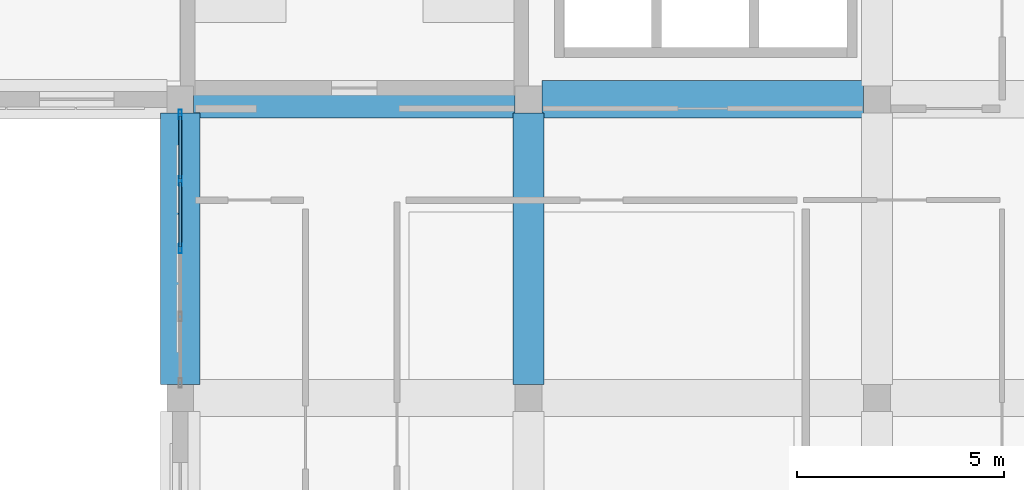
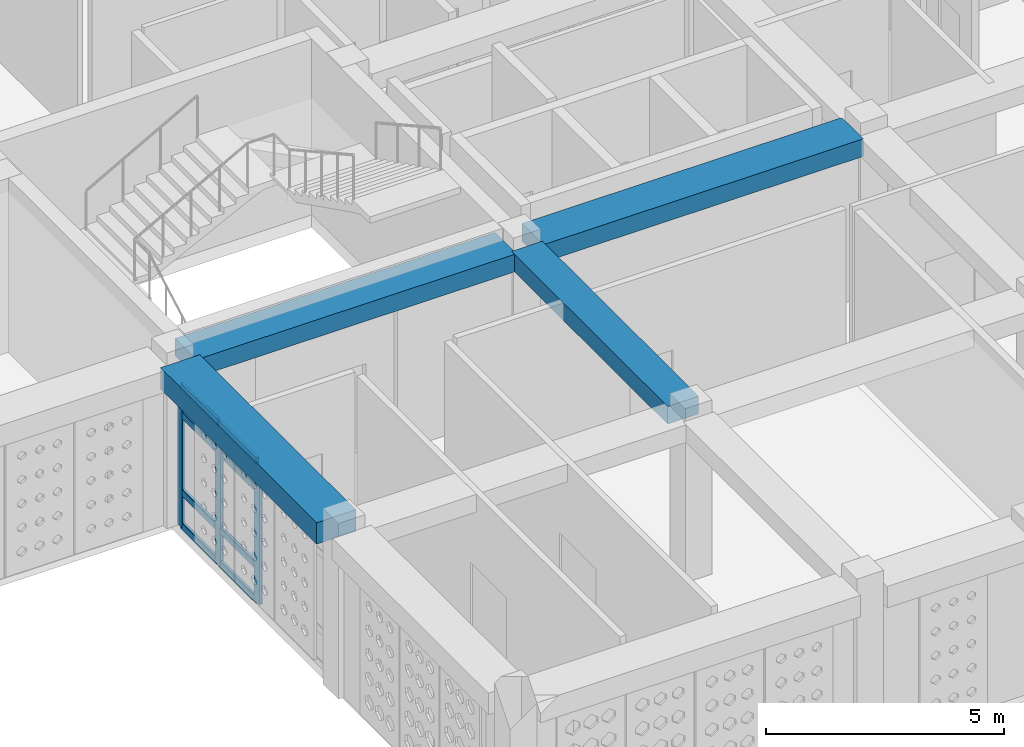
# One storey, part 3 of 79: 11 members, 4 beams, 1 element without a shape of its own.
"""IFC4 building model written with IfcOpenShell, lengths in metres."""

from ifc_helpers import new_model, si_unit, derived_unit, direction, frame, origin, origin_2d, place, context, subcontext, project, spatial, rectangle, hollow_rectangle, extrude, material, material_profile, profile_set, type_object, element, aggregate, save


model = new_model("IFC4")

# Units and contexts
model_context = context("Model", 3, precision=1e-05, world=origin(), true_north=direction((0.0, 1.0)))
body_context = subcontext(model_context, "Body", "Model", "MODEL_VIEW")
ifc_project = project(units=[si_unit("LENGTHUNIT", "METRE"), si_unit("AREAUNIT", "SQUARE_METRE"), si_unit("VOLUMEUNIT", "CUBIC_METRE"), si_unit("PLANEANGLEUNIT", "RADIAN"), si_unit("MASSUNIT", "GRAM", prefix="KILO"), derived_unit("THERMALTRANSMITTANCEUNIT", [(si_unit("POWERUNIT", "WATT"), 1), (si_unit("LENGTHUNIT", "METRE"), -2), (si_unit("THERMODYNAMICTEMPERATUREUNIT", "KELVIN"), -1)])], contexts=[model_context])

# Site, building, storey
site_placement = place(None, origin())
site = spatial("IfcSite", under=ifc_project, at=site_placement, CompositionType="ELEMENT")
building_placement = place(site_placement, origin())
building = spatial("IfcBuilding", under=site, at=building_placement, Name="Veybourne Emporium", CompositionType="ELEMENT")
storey_placement = place(building_placement, frame((0.0, 0.0, 18.89990234375)))
storey = spatial("IfcBuildingStorey", under=building, at=storey_placement, Name="L04", CompositionType="ELEMENT", Elevation=18.89990234375)

# Curtain wall, members
ifc_material_1 = material(Name="Patinated Architectural Bronze", Category="bronze")
curtain_wall_type = type_object("IfcCurtainWallType", Name="CWSystem_CWS-26", PredefinedType="NOTDEFINED", material=ifc_material_1)
curtain_wall_placement = place(storey_placement, origin())
curtain_wall = element("IfcCurtainWall", 1, at=curtain_wall_placement, inside=storey, type_object=curtain_wall_type, Name="L04 bronze glazed curtain wall CWS-26 (012)", PredefinedType="NOTDEFINED")
ifc_material_profile_1 = material_profile(ifc_material_1, hollow_rectangle(XDim=0.074951171875, YDim=0.22998046875, WallThickness=0.0048828125, InnerFilletRadius=0.007568359375, OuterFilletRadius=0.012451171875, at=origin_2d()), Name="CWM 75x230x5")
ifc_profile_set_1 = profile_set([ifc_material_profile_1], Name="Patinated Architectural Bronze")
member_type_1 = type_object("IfcMemberType", Name="CWMullion_CW-M2", PredefinedType="MULLION", material=ifc_profile_set_1)
member_1_placement = place(storey_placement, frame((16.800048828125, 10.800048828125, 0.0), z_axis=(0.0, 0.0, 1.0), x_axis=(-1.0, 0.0, 0.0)))
member_1 = element("IfcMember", 2, at=member_1_placement, type_object=member_type_1, Name="CWS-26 mullion 3", PredefinedType="MULLION", context=body_context, shape_type="SweptSolid", body=[
    extrude(hollow_rectangle(XDim=0.074951171875, YDim=0.22998046875, WallThickness=0.0048828125, InnerFilletRadius=0.007568359375, OuterFilletRadius=0.012451171875, at=origin_2d()), origin(), (0.0, 0.0, 1.0), 3.630126953125),
])
member_2_placement = place(storey_placement, frame((16.800048828125, 12.4375, 0.0), z_axis=(0.0, 0.0, 1.0), x_axis=(-1.0, 0.0, 0.0)))
member_2 = element("IfcMember", 3, at=member_2_placement, type_object=member_type_1, Name="CWS-26 mullion 4", PredefinedType="MULLION", context=body_context, shape_type="SweptSolid", body=[
    extrude(hollow_rectangle(XDim=0.074951171875, YDim=0.22998046875, WallThickness=0.0048828125, InnerFilletRadius=0.007568359375, OuterFilletRadius=0.012451171875, at=origin_2d()), origin(), (0.0, 0.0, 1.0), 3.630126953125),
])
member_3_placement = place(storey_placement, frame((16.800048828125, 14.03759765625, 0.0), z_axis=(0.0, 0.0, 1.0), x_axis=(-1.0, 0.0, 0.0)))
member_3 = element("IfcMember", 4, at=member_3_placement, type_object=member_type_1, Name="CWS-26 mullion 5", PredefinedType="MULLION", context=body_context, shape_type="SweptSolid", body=[
    extrude(hollow_rectangle(XDim=0.074951171875, YDim=0.22998046875, WallThickness=0.0048828125, InnerFilletRadius=0.007568359375, OuterFilletRadius=0.012451171875, at=origin_2d()), origin(), (0.0, 0.0, 1.0), 3.630126953125),
])
ifc_material_profile_2 = material_profile(ifc_material_1, hollow_rectangle(XDim=0.074951171875, YDim=0.179931640625, WallThickness=0.0048828125, InnerFilletRadius=0.007568359375, OuterFilletRadius=0.012451171875, at=origin_2d()), Name="CWT 75x180x5")
ifc_profile_set_2 = profile_set([ifc_material_profile_2], Name="Patinated Architectural Bronze")
member_type_2 = type_object("IfcMemberType", Name="CWTransom_CW-T2", PredefinedType="NOTDEFINED", material=ifc_profile_set_2)
member_4_placement = place(storey_placement, frame((16.800048828125, 10.83740234375, 0.03759765625), z_axis=(0.0, 1.0, 0.0), x_axis=(-1.0, 0.0, 0.0)))
member_4 = element("IfcMember", 5, at=member_4_placement, type_object=member_type_2, Name="CWS-26 transom 3.1", ObjectType="TRANSOM", PredefinedType="USERDEFINED", context=body_context, shape_type="SweptSolid", body=[
    extrude(hollow_rectangle(XDim=0.074951171875, YDim=0.179931640625, WallThickness=0.0048828125, InnerFilletRadius=0.007568359375, OuterFilletRadius=0.012451171875, at=origin_2d()), origin(), (0.0, 0.0, 1.0), 1.5625),
])
member_5_placement = place(storey_placement, frame((16.800048828125, 10.83740234375, 0.900146484375), z_axis=(0.0, 1.0, 0.0), x_axis=(-1.0, 0.0, 0.0)))
member_5 = element("IfcMember", 6, at=member_5_placement, type_object=member_type_2, Name="CWS-26 transom 3.2", ObjectType="TRANSOM", PredefinedType="USERDEFINED", context=body_context, shape_type="SweptSolid", body=[
    extrude(hollow_rectangle(XDim=0.074951171875, YDim=0.179931640625, WallThickness=0.0048828125, InnerFilletRadius=0.007568359375, OuterFilletRadius=0.012451171875, at=origin_2d()), origin(), (0.0, 0.0, 1.0), 1.5625),
])
member_6_placement = place(storey_placement, frame((16.800048828125, 10.83740234375, 2.880126953125), z_axis=(0.0, 1.0, 0.0), x_axis=(-1.0, 0.0, 0.0)))
member_6 = element("IfcMember", 7, at=member_6_placement, type_object=member_type_2, Name="CWS-26 transom 3.3", ObjectType="TRANSOM", PredefinedType="USERDEFINED", context=body_context, shape_type="SweptSolid", body=[
    extrude(hollow_rectangle(XDim=0.074951171875, YDim=0.179931640625, WallThickness=0.0048828125, InnerFilletRadius=0.007568359375, OuterFilletRadius=0.012451171875, at=origin_2d()), origin(), (0.0, 0.0, 1.0), 1.5625),
])
member_7_placement = place(storey_placement, frame((16.800048828125, 10.83740234375, 3.592529296875), z_axis=(0.0, 1.0, 0.0), x_axis=(-1.0, 0.0, 0.0)))
member_7 = element("IfcMember", 8, at=member_7_placement, type_object=member_type_2, Name="CWS-26 transom 3.4", ObjectType="TRANSOM", PredefinedType="USERDEFINED", context=body_context, shape_type="SweptSolid", body=[
    extrude(hollow_rectangle(XDim=0.074951171875, YDim=0.179931640625, WallThickness=0.0048828125, InnerFilletRadius=0.007568359375, OuterFilletRadius=0.012451171875, at=origin_2d()), origin(), (0.0, 0.0, 1.0), 1.5625),
])
member_8_placement = place(storey_placement, frame((16.800048828125, 12.47509765625, 0.03759765625), z_axis=(0.0, 1.0, 0.0), x_axis=(-1.0, 0.0, 0.0)))
member_8 = element("IfcMember", 9, at=member_8_placement, type_object=member_type_2, Name="CWS-26 transom 4.1", ObjectType="TRANSOM", PredefinedType="USERDEFINED", context=body_context, shape_type="SweptSolid", body=[
    extrude(hollow_rectangle(XDim=0.074951171875, YDim=0.179931640625, WallThickness=0.0048828125, InnerFilletRadius=0.007568359375, OuterFilletRadius=0.012451171875, at=origin_2d()), origin(), (0.0, 0.0, 1.0), 1.52490234375),
])
member_9_placement = place(storey_placement, frame((16.800048828125, 12.47509765625, 0.900146484375), z_axis=(0.0, 1.0, 0.0), x_axis=(-1.0, 0.0, 0.0)))
member_9 = element("IfcMember", 10, at=member_9_placement, type_object=member_type_2, Name="CWS-26 transom 4.2", ObjectType="TRANSOM", PredefinedType="USERDEFINED", context=body_context, shape_type="SweptSolid", body=[
    extrude(hollow_rectangle(XDim=0.074951171875, YDim=0.179931640625, WallThickness=0.0048828125, InnerFilletRadius=0.007568359375, OuterFilletRadius=0.012451171875, at=origin_2d()), origin(), (0.0, 0.0, 1.0), 1.52490234375),
])
member_10_placement = place(storey_placement, frame((16.800048828125, 12.47509765625, 2.880126953125), z_axis=(0.0, 1.0, 0.0), x_axis=(-1.0, 0.0, 0.0)))
member_10 = element("IfcMember", 11, at=member_10_placement, type_object=member_type_2, Name="CWS-26 transom 4.3", ObjectType="TRANSOM", PredefinedType="USERDEFINED", context=body_context, shape_type="SweptSolid", body=[
    extrude(hollow_rectangle(XDim=0.074951171875, YDim=0.179931640625, WallThickness=0.0048828125, InnerFilletRadius=0.007568359375, OuterFilletRadius=0.012451171875, at=origin_2d()), origin(), (0.0, 0.0, 1.0), 1.52490234375),
])
member_11_placement = place(storey_placement, frame((16.800048828125, 12.47509765625, 3.592529296875), z_axis=(0.0, 1.0, 0.0), x_axis=(-1.0, 0.0, 0.0)))
member_11 = element("IfcMember", 12, at=member_11_placement, type_object=member_type_2, Name="CWS-26 transom 4.4", ObjectType="TRANSOM", PredefinedType="USERDEFINED", context=body_context, shape_type="SweptSolid", body=[
    extrude(hollow_rectangle(XDim=0.074951171875, YDim=0.179931640625, WallThickness=0.0048828125, InnerFilletRadius=0.007568359375, OuterFilletRadius=0.012451171875, at=origin_2d()), origin(), (0.0, 0.0, 1.0), 1.52490234375),
])
aggregate(curtain_wall, [member_1, member_2, member_3, member_4, member_5, member_6, member_7, member_8, member_9, member_10, member_11])

# Beams
ifc_material_2 = material(Name="Concrete C32/40", Category="concrete")
ifc_material_profile_3 = material_profile(ifc_material_2, rectangle(XDim=0.89990234375, YDim=0.449951171875, at=origin_2d()), Name="RC 900x450")
ifc_profile_set_3 = profile_set([ifc_material_profile_3], Name="Concrete C32/40")
beam_type_1 = type_object("IfcBeamType", Name="RCBeam_BB-03", PredefinedType="BEAM", material=ifc_profile_set_3)
for number, where, z_axis, x_axis, name in (
    (13, (17.125, 14.39990234375, 3.955078125), (1.0, 0.0, 0.0), (0.0, 1.0, 0.0), "L04 X-grid beam BB-03 (2,2)"),
    (14, (25.52490234375, 14.39990234375, 3.955078125), (1.0, 0.0, 0.0), (0.0, 1.0, 0.0), "L04 X-grid beam BB-03 (3,2)"),
):
    element("IfcBeam", number, at=place(storey_placement, frame(where, z_axis=z_axis, x_axis=x_axis)), inside=storey, type_object=beam_type_1, Name=name, PredefinedType="BEAM", context=body_context, shape_type="SweptSolid", body=[
        extrude(rectangle(XDim=0.89990234375, YDim=0.449951171875, at=origin_2d()), origin(), (0.0, 0.0, 1.0), 7.75),
    ])
ifc_material_profile_4 = material_profile(ifc_material_2, rectangle(XDim=0.75, YDim=0.449951171875, at=origin_2d()), Name="RC 750x450")
ifc_profile_set_4 = profile_set([ifc_material_profile_4], Name="Concrete C32/40")
beam_type_2 = type_object("IfcBeamType", Name="RCBeam_BB-04", PredefinedType="BEAM", material=ifc_profile_set_4)
beam_1_placement = place(storey_placement, frame((25.199951171875, 7.52490234375, 3.955078125), z_axis=(0.0, 1.0, 0.0), x_axis=(-1.0, 0.0, 0.0)))
element("IfcBeam", 15, at=beam_1_placement, inside=storey, type_object=beam_type_2, Name="L04 Y-grid beam BB-04 (3,1)", PredefinedType="BEAM", context=body_context, shape_type="SweptSolid", body=[
    extrude(rectangle(XDim=0.75, YDim=0.449951171875, at=origin_2d()), origin(), (0.0, 0.0, 1.0), 6.550048828125),
])
ifc_material_profile_5 = material_profile(ifc_material_2, rectangle(XDim=0.949951171875, YDim=0.550048828125, at=origin_2d()), Name="RC 950x550")
ifc_profile_set_5 = profile_set([ifc_material_profile_5], Name="Concrete C32/40")
beam_type_3 = type_object("IfcBeamType", Name="RCBeam_EB-01", PredefinedType="SPANDREL", material=ifc_profile_set_5)
beam_2_placement = place(storey_placement, frame((16.800048828125, 7.52490234375, 3.905029296875), z_axis=(0.0, 1.0, 0.0), x_axis=(-1.0, 0.0, 0.0)))
element("IfcBeam", 16, at=beam_2_placement, inside=storey, type_object=beam_type_3, Name="L04 Y-grid beam EB-01 (2,1)", PredefinedType="SPANDREL", context=body_context, shape_type="SweptSolid", body=[
    extrude(rectangle(XDim=0.949951171875, YDim=0.550048828125, at=origin_2d()), origin(), (0.0, 0.0, 1.0), 6.550048828125),
])

save(model, "model.ifc")
